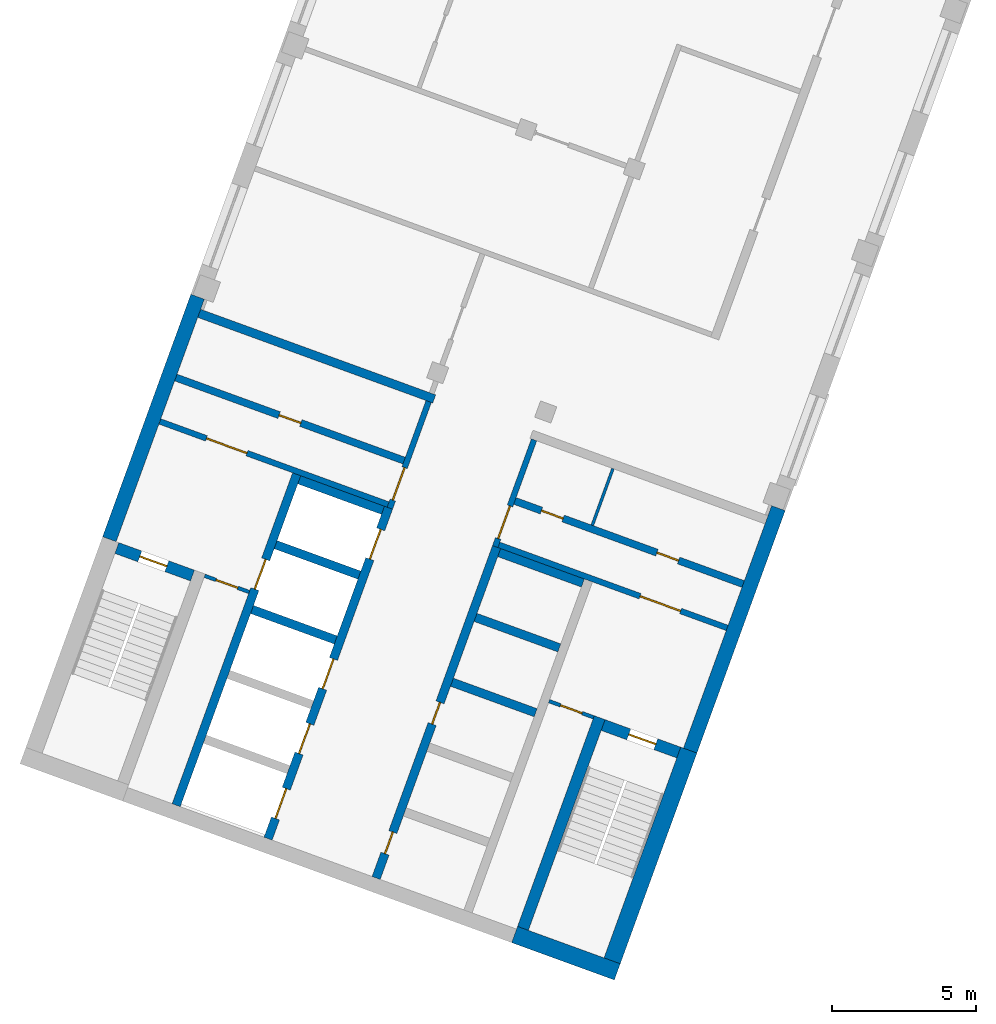
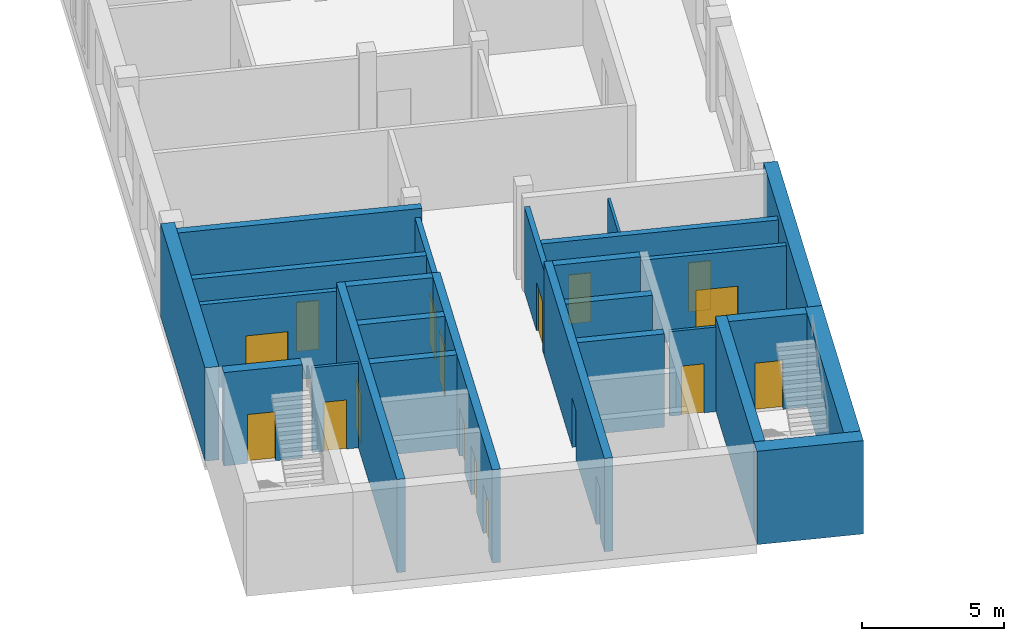
# One storey, part 2 of 8: 26 walls, 18 doors, 18 openings.
"""IFC4 building model written with IfcOpenShell, lengths in metres."""

from ifc_helpers import new_model, si_unit, direction, frame, frame_2d, origin, place, context, subcontext, project, spatial, rectangle, extrude, material, layer, layer_set, type_object, element, fill, save


model = new_model("IFC4")

# Units and contexts
model_context = context("Model", 3, precision=1e-05, world=origin(), true_north=direction((0.0, 1.0)))
body_context = subcontext(model_context, "Body", "Model", "MODEL_VIEW")
ifc_project = project(units=[si_unit("LENGTHUNIT", "METRE"), si_unit("AREAUNIT", "SQUARE_METRE"), si_unit("VOLUMEUNIT", "CUBIC_METRE"), si_unit("PLANEANGLEUNIT", "RADIAN"), si_unit("MASSUNIT", "GRAM", prefix="KILO")], contexts=[model_context])

# Site, building, storey
site_placement = place(None, origin())
site = spatial("IfcSite", under=ifc_project, at=site_placement, CompositionType="ELEMENT")
building_placement = place(site_placement, origin())
building = spatial("IfcBuilding", under=site, at=building_placement, Name="Skarvind Civic Tower", CompositionType="ELEMENT")
storey_placement = place(building_placement, frame((0.0, 0.0, 196.0)))
storey = spatial("IfcBuildingStorey", under=building, at=storey_placement, Name="L46", CompositionType="ELEMENT", Elevation=196.0)

# Wall, opening, door
ifc_material_1 = material(Name="Fire-rated masonry partition", Category="masonry")
ifc_layer_1 = layer(ifc_material_1, 0.199951171875)
ifc_layer_set_1 = layer_set([ifc_layer_1], Name="Core enclosure wall 200")
wall_type_1 = type_object("IfcWallType", Name="Core enclosure wall 200", PredefinedType="PARTITIONING", material=ifc_layer_set_1)
wall_1_placement = place(storey_placement, frame((31.42724609375, 93.663330078125, 0.0), z_axis=(0.0, 0.0, 1.0), x_axis=(0.342030870568, 0.93968871632, 0.0)))
wall_1 = element("IfcWall", 1, at=wall_1_placement, inside=storey, type_object=wall_type_1, Name="Core wall C2", PredefinedType="PARTITIONING", context=body_context, shape_type="SweptSolid", body=[
    extrude(rectangle(XDim=3.9501953125, YDim=0.199951171875, at=frame_2d((1.97509765625, 0.0))), origin(), (0.0, 0.0, 1.0), 3.625),
])
opening_1_placement = place(wall_1_placement, frame((0.300048828125, 0.0, 0.0)))
opening_1 = element("IfcOpeningElement", 2, at=opening_1_placement, cuts=wall_1, Name="Opening D-L46-C2-07", PredefinedType="OPENING", context=body_context, shape_type="SweptSolid", body=[
    extrude(rectangle(XDim=1.199951171875, YDim=2.10009765625, at=frame_2d((0.60009765625, 1.050048828125))), frame((0.0, 0.10986328125, 0.0), z_axis=(0.0, -1.0, 0.0), x_axis=(1.0, 0.0, 0.0)), (0.0, 0.0, 1.0), 0.219970703125),
])
ifc_material_2 = material(Name="Fire-rated steel door", Category="steel")
door_type_1 = type_object("IfcDoorType", Name="Core lobby door 1200", OperationType="NOTDEFINED", PredefinedType="DOOR", material=ifc_material_2)
door_1_placement = place(opening_1_placement, origin())
door_1 = element("IfcDoor", 3, at=door_1_placement, inside=storey, type_object=door_type_1, Name="Fire door", OperationType="DOUBLE_DOOR_SINGLE_SWING", OverallHeight=2.10009765625, OverallWidth=1.199951171875, PredefinedType="DOOR", context=body_context, shape_type="SweptSolid", body=[
    extrude(rectangle(XDim=1.199951171875, YDim=2.10009765625, at=frame_2d((0.60009765625, 1.050048828125))), frame((0.0, 0.02490234375, 0.0), z_axis=(0.0, -1.0, 0.0), x_axis=(1.0, 0.0, 0.0)), (0.0, 0.0, 1.0), 0.050048828125),
])
fill(opening_1, door_1)

wall_2_placement = place(storey_placement, frame((23.42724609375, 96.681640625, 0.0), z_axis=(0.0, 0.0, 1.0), x_axis=(0.939690465531, -0.342026064782, 0.0)))
wall_2 = element("IfcWall", 4, at=wall_2_placement, inside=storey, type_object=wall_type_1, Name="Core wall C2", PredefinedType="PARTITIONING", context=body_context, shape_type="SweptSolid", body=[
    extrude(rectangle(XDim=8.449951171875, YDim=0.199951171875, at=frame_2d((4.22509765625, 0.0))), origin(), (0.0, 0.0, 1.0), 3.625),
])
opening_2_placement = place(wall_2_placement, frame((1.72509765625, 0.0, 0.0)))
opening_2 = element("IfcOpeningElement", 5, at=opening_2_placement, cuts=wall_2, Name="Opening D-L46-C2-08", PredefinedType="OPENING", context=body_context, shape_type="SweptSolid", body=[
    extrude(rectangle(XDim=1.5, YDim=2.10009765625, at=frame_2d((0.75, 1.050048828125))), frame((0.0, 0.10986328125, 0.0), z_axis=(0.0, -1.0, 0.0), x_axis=(1.0, 0.0, 0.0)), (0.0, 0.0, 1.0), 0.219970703125),
])
door_type_2 = type_object("IfcDoorType", Name="Fire door 1500", OperationType="NOTDEFINED", PredefinedType="DOOR", material=ifc_material_2)
door_2_placement = place(opening_2_placement, origin())
door_2 = element("IfcDoor", 6, at=door_2_placement, inside=storey, type_object=door_type_2, Name="Fire door", OperationType="DOUBLE_DOOR_SINGLE_SWING", OverallHeight=2.10009765625, OverallWidth=1.5, PredefinedType="DOOR", context=body_context, shape_type="SweptSolid", body=[
    extrude(rectangle(XDim=1.5, YDim=2.10009765625, at=frame_2d((0.75, 1.050048828125))), frame((0.0, 0.02490234375, 0.0), z_axis=(0.0, -1.0, 0.0), x_axis=(1.0, 0.0, 0.0)), (0.0, 0.0, 1.0), 0.050048828125),
])
fill(opening_2, door_2)

wall_3_placement = place(storey_placement, frame((36.443115234375, 96.041259765625, 0.0), z_axis=(0.0, 0.0, 1.0), x_axis=(-0.341996156931, -0.939701350773, 0.0)))
wall_3 = element("IfcWall", 7, at=wall_3_placement, inside=storey, type_object=wall_type_1, Name="Core wall C2", PredefinedType="PARTITIONING", context=body_context, shape_type="SweptSolid", body=[
    extrude(rectangle(XDim=3.949951171875, YDim=0.199951171875, at=frame_2d((1.97509765625, 0.0))), origin(), (0.0, 0.0, 1.0), 3.625),
])
opening_3_placement = place(wall_3_placement, frame((2.449951171875, 0.0, 0.0)))
opening_3 = element("IfcOpeningElement", 8, at=opening_3_placement, cuts=wall_3, Name="Opening D-L46-C2-12", PredefinedType="OPENING", context=body_context, shape_type="SweptSolid", body=[
    extrude(rectangle(XDim=1.199951171875, YDim=2.10009765625, at=frame_2d((0.60009765625, 1.050048828125))), frame((0.0, 0.10986328125, 0.0), z_axis=(0.0, -1.0, 0.0), x_axis=(1.0, 0.0, 0.0)), (0.0, 0.0, 1.0), 0.219970703125),
])
door_3_placement = place(opening_3_placement, origin())
door_3 = element("IfcDoor", 9, at=door_3_placement, inside=storey, type_object=door_type_1, Name="Fire door", OperationType="DOUBLE_DOOR_SINGLE_SWING", OverallHeight=2.10009765625, OverallWidth=1.199951171875, PredefinedType="DOOR", context=body_context, shape_type="SweptSolid", body=[
    extrude(rectangle(XDim=1.199951171875, YDim=2.10009765625, at=frame_2d((0.60009765625, 1.050048828125))), frame((0.0, 0.02490234375, 0.0), z_axis=(0.0, -1.0, 0.0), x_axis=(1.0, 0.0, 0.0)), (0.0, 0.0, 1.0), 0.050048828125),
])
fill(opening_3, door_3)

wall_4_placement = place(storey_placement, frame((35.22021484375, 92.389404296875, 0.0), z_axis=(0.0, 0.0, 1.0), x_axis=(0.939690465531, -0.342026064782, 0.0)))
wall_4 = element("IfcWall", 10, at=wall_4_placement, inside=storey, type_object=wall_type_1, Name="Core wall C2", PredefinedType="PARTITIONING", context=body_context, shape_type="SweptSolid", body=[
    extrude(rectangle(XDim=8.449951171875, YDim=0.199951171875, at=frame_2d((4.22509765625, 0.0))), origin(), (0.0, 0.0, 1.0), 3.625),
])
opening_4_placement = place(wall_4_placement, frame((5.22509765625, 0.0, 0.0)))
opening_4 = element("IfcOpeningElement", 11, at=opening_4_placement, cuts=wall_4, Name="Opening D-L46-C2-13", PredefinedType="OPENING", context=body_context, shape_type="SweptSolid", body=[
    extrude(rectangle(XDim=1.5, YDim=2.10009765625, at=frame_2d((0.75, 1.050048828125))), frame((0.0, 0.10986328125, 0.0), z_axis=(0.0, -1.0, 0.0), x_axis=(1.0, 0.0, 0.0)), (0.0, 0.0, 1.0), 0.219970703125),
])
door_4_placement = place(opening_4_placement, origin())
door_4 = element("IfcDoor", 12, at=door_4_placement, inside=storey, type_object=door_type_2, Name="Fire door", OperationType="DOUBLE_DOOR_SINGLE_SWING", OverallHeight=2.10009765625, OverallWidth=1.5, PredefinedType="DOOR", context=body_context, shape_type="SweptSolid", body=[
    extrude(rectangle(XDim=1.5, YDim=2.10009765625, at=frame_2d((0.75, 1.050048828125))), frame((0.0, 0.02490234375, 0.0), z_axis=(0.0, -1.0, 0.0), x_axis=(1.0, 0.0, 0.0)), (0.0, 0.0, 1.0), 0.050048828125),
])
fill(opening_4, door_4)

# Wall
ifc_material_3 = material(Name="Fire-rated plasterboard partition")
ifc_layer_2 = layer(ifc_material_3, 0.10009765625)
ifc_layer_set_2 = layer_set([ifc_layer_2], Name="Core partition wall 100")
wall_type_2 = type_object("IfcWallType", Name="Core partition wall 100", PredefinedType="PARTITIONING", material=ifc_layer_set_2)
wall_5_placement = place(storey_placement, frame((39.18701171875, 95.04248046875, 0.0), z_axis=(0.0, 0.0, 1.0), x_axis=(-0.342023078919, -0.939691552312, 0.0)))
element("IfcWall", 13, at=wall_5_placement, inside=storey, type_object=wall_type_2, Name="Core wall C2", PredefinedType="PARTITIONING", context=body_context, shape_type="SweptSolid", body=[
    extrude(rectangle(XDim=2.10009765625, YDim=0.10009765625, at=frame_2d((1.050048828125, 0.0))), origin(), (0.0, 0.0, 1.0), 3.625),
])

# Wall, openings, doors
ifc_material_4 = material(Name="Concrete C60", Category="concrete")
ifc_layer_3 = layer(ifc_material_4, 0.300048828125)
ifc_layer_set_3 = layer_set([ifc_layer_3], Name="Core wall 300 C60")
wall_type_3 = type_object("IfcWallType", Name="Core wall 300 C60", PredefinedType="SHEAR", material=ifc_layer_set_3)
wall_6_placement = place(storey_placement, frame((30.949462890625, 80.80126953125, 0.0), z_axis=(0.0, 0.0, 1.0), x_axis=(0.342016684409, 0.939693879721, 0.0)))
wall_6 = element("IfcWall", 14, at=wall_6_placement, inside=storey, type_object=wall_type_3, Name="Core wall C2 south lift row front L46", PredefinedType="SHEAR", context=body_context, shape_type="SweptSolid", body=[
    extrude(rectangle(XDim=12.25, YDim=0.300048828125, at=frame_2d((6.125, 0.0))), origin(), (0.0, 0.0, 1.0), 4.0),
])
opening_5_placement = place(wall_6_placement, frame((0.89990234375, 0.0, 0.0)))
opening_5 = element("IfcOpeningElement", 15, at=opening_5_placement, cuts=wall_6, Name="Opening D-L46-C2-05", PredefinedType="OPENING", context=body_context, shape_type="SweptSolid", body=[
    extrude(rectangle(XDim=0.800048828125, YDim=2.10009765625, at=frame_2d((0.39990234375, 1.050048828125))), frame((0.0, 0.159912109375, 0.0), z_axis=(0.0, -1.0, 0.0), x_axis=(1.0, 0.0, 0.0)), (0.0, 0.0, 1.0), 0.320068359375),
])
opening_6_placement = place(wall_6_placement, frame((5.699951171875, 0.0, 0.0)))
opening_6 = element("IfcOpeningElement", 16, at=opening_6_placement, cuts=wall_6, Name="Opening D-L46-C2-06", PredefinedType="OPENING", context=body_context, shape_type="SweptSolid", body=[
    extrude(rectangle(XDim=0.800048828125, YDim=2.10009765625, at=frame_2d((0.39990234375, 1.050048828125))), frame((0.0, 0.159912109375, 0.0), z_axis=(0.0, -1.0, 0.0), x_axis=(1.0, 0.0, 0.0)), (0.0, 0.0, 1.0), 0.320068359375),
])
door_type_3 = type_object("IfcDoorType", Name="Core riser door 800", OperationType="NOTDEFINED", PredefinedType="DOOR", material=ifc_material_2)
door_5_placement = place(opening_5_placement, origin())
door_5 = element("IfcDoor", 17, at=door_5_placement, inside=storey, type_object=door_type_3, Name="Riser door", OperationType="SINGLE_SWING_LEFT", OverallHeight=2.10009765625, OverallWidth=0.800048828125, PredefinedType="DOOR", context=body_context, shape_type="SweptSolid", body=[
    extrude(rectangle(XDim=0.800048828125, YDim=2.10009765625, at=frame_2d((0.39990234375, 1.050048828125))), frame((0.0, 0.02490234375, 0.0), z_axis=(0.0, -1.0, 0.0), x_axis=(1.0, 0.0, 0.0)), (0.0, 0.0, 1.0), 0.050048828125),
])
fill(opening_5, door_5)
door_6_placement = place(opening_6_placement, origin())
door_6 = element("IfcDoor", 18, at=door_6_placement, inside=storey, type_object=door_type_3, Name="Riser door", OperationType="SINGLE_SWING_RIGHT", OverallHeight=2.10009765625, OverallWidth=0.800048828125, PredefinedType="DOOR", context=body_context, shape_type="SweptSolid", body=[
    extrude(rectangle(XDim=0.800048828125, YDim=2.10009765625, at=frame_2d((0.39990234375, 1.050048828125))), frame((0.0, 0.02490234375, 0.0), z_axis=(0.0, -1.0, 0.0), x_axis=(1.0, 0.0, 0.0)), (0.0, 0.0, 1.0), 0.050048828125),
])
fill(opening_6, door_6)

# Walls
for number, where, z_axis, x_axis, name in (
    (19, (36.500244140625, 86.54931640625, 0.0), (0.0, 0.0, 1.0), (-0.939689908313, 0.342027595692, 0.0), "Core wall C2 south lift row division 3 L46"),
    (20, (37.321044921875, 88.8046875, 0.0), (0.0, 0.0, 1.0), (-0.939689908313, 0.342027595692, 0.0), "Core wall C2 south lift row division 4 L46"),
    (21, (38.141845703125, 91.059814453125, 0.0), (0.0, 0.0, 1.0), (-0.939689908313, 0.342027595692, 0.0), "Core wall C2 south lift row division 5 L46"),
):
    element("IfcWall", number, at=place(storey_placement, frame(where, z_axis=z_axis, x_axis=x_axis)), inside=storey, type_object=wall_type_3, Name=name, PredefinedType="SHEAR", context=body_context, shape_type="SweptSolid", body=[
        extrude(rectangle(XDim=3.10009765625, YDim=0.300048828125, at=frame_2d((1.550048828125, 0.0))), origin(), (0.0, 0.0, 1.0), 4.0),
    ])

# Wall, openings, doors
wall_7_placement = place(storey_placement, frame((27.190673828125, 82.169189453125, 0.0), z_axis=(0.0, 0.0, 1.0), x_axis=(0.342016684409, 0.939693879721, 0.0)))
wall_7 = element("IfcWall", 22, at=wall_7_placement, inside=storey, type_object=wall_type_3, Name="Core wall C2 north lift row front L46", PredefinedType="SHEAR", context=body_context, shape_type="SweptSolid", body=[
    extrude(rectangle(XDim=12.25, YDim=0.300048828125, at=frame_2d((6.125, 0.0))), origin(), (0.0, 0.0, 1.0), 4.0),
])
opening_7_placement = place(wall_7_placement, frame((0.75, 0.0, 0.0)))
opening_7 = element("IfcOpeningElement", 23, at=opening_7_placement, cuts=wall_7, Name="Opening LD48201", PredefinedType="OPENING", context=body_context, shape_type="SweptSolid", body=[
    extrude(rectangle(XDim=1.10009765625, YDim=2.10009765625, at=frame_2d((0.550048828125, 1.050048828125))), frame((0.0, 0.159912109375, 0.0), z_axis=(0.0, -1.0, 0.0), x_axis=(1.0, 0.0, 0.0)), (0.0, 0.0, 1.0), 0.320068359375),
])
opening_8_placement = place(wall_7_placement, frame((3.14990234375, 0.0, 0.0)))
opening_8 = element("IfcOpeningElement", 24, at=opening_8_placement, cuts=wall_7, Name="Opening LD48202", PredefinedType="OPENING", context=body_context, shape_type="SweptSolid", body=[
    extrude(rectangle(XDim=1.10009765625, YDim=2.10009765625, at=frame_2d((0.550048828125, 1.050048828125))), frame((0.0, 0.159912109375, 0.0), z_axis=(0.0, -1.0, 0.0), x_axis=(1.0, 0.0, 0.0)), (0.0, 0.0, 1.0), 0.320068359375),
])
opening_9_placement = place(wall_7_placement, frame((5.550048828125, 0.0, 0.0)))
opening_9 = element("IfcOpeningElement", 25, at=opening_9_placement, cuts=wall_7, Name="Opening LD48203", PredefinedType="OPENING", context=body_context, shape_type="SweptSolid", body=[
    extrude(rectangle(XDim=1.10009765625, YDim=2.10009765625, at=frame_2d((0.550048828125, 1.050048828125))), frame((0.0, 0.159912109375, 0.0), z_axis=(0.0, -1.0, 0.0), x_axis=(1.0, 0.0, 0.0)), (0.0, 0.0, 1.0), 0.320068359375),
])
opening_10_placement = place(wall_7_placement, frame((10.35009765625, 0.0, 0.0)))
opening_10 = element("IfcOpeningElement", 26, at=opening_10_placement, cuts=wall_7, Name="Opening LD48205", PredefinedType="OPENING", context=body_context, shape_type="SweptSolid", body=[
    extrude(rectangle(XDim=1.10009765625, YDim=2.10009765625, at=frame_2d((0.550048828125, 1.050048828125))), frame((0.0, 0.159912109375, 0.0), z_axis=(0.0, -1.0, 0.0), x_axis=(1.0, 0.0, 0.0)), (0.0, 0.0, 1.0), 0.320068359375),
])
ifc_material_5 = material(Name="Stainless steel landing door", Category="steel")
door_type_4 = type_object("IfcDoorType", Name="Lift landing door 1100", OperationType="DOUBLE_DOOR_SLIDING", PredefinedType="DOOR", material=ifc_material_5)
door_7_placement = place(opening_7_placement, origin())
door_7 = element("IfcDoor", 27, at=door_7_placement, inside=storey, type_object=door_type_4, Name="Lift landing door", OperationType="DOUBLE_DOOR_SLIDING", OverallHeight=2.10009765625, OverallWidth=1.10009765625, PredefinedType="DOOR", context=body_context, shape_type="SweptSolid", body=[
    extrude(rectangle(XDim=1.10009765625, YDim=2.10009765625, at=frame_2d((0.550048828125, 1.050048828125))), frame((0.0, 0.02490234375, 0.0), z_axis=(0.0, -1.0, 0.0), x_axis=(1.0, 0.0, 0.0)), (0.0, 0.0, 1.0), 0.050048828125),
])
fill(opening_7, door_7)
door_8_placement = place(opening_8_placement, origin())
door_8 = element("IfcDoor", 28, at=door_8_placement, inside=storey, type_object=door_type_4, Name="Lift landing door", OperationType="DOUBLE_DOOR_SLIDING", OverallHeight=2.10009765625, OverallWidth=1.10009765625, PredefinedType="DOOR", context=body_context, shape_type="SweptSolid", body=[
    extrude(rectangle(XDim=1.10009765625, YDim=2.10009765625, at=frame_2d((0.550048828125, 1.050048828125))), frame((0.0, 0.02490234375, 0.0), z_axis=(0.0, -1.0, 0.0), x_axis=(1.0, 0.0, 0.0)), (0.0, 0.0, 1.0), 0.050048828125),
])
fill(opening_8, door_8)
door_9_placement = place(opening_9_placement, origin())
door_9 = element("IfcDoor", 29, at=door_9_placement, inside=storey, type_object=door_type_4, Name="Lift landing door", OperationType="DOUBLE_DOOR_SLIDING", OverallHeight=2.10009765625, OverallWidth=1.10009765625, PredefinedType="DOOR", context=body_context, shape_type="SweptSolid", body=[
    extrude(rectangle(XDim=1.10009765625, YDim=2.10009765625, at=frame_2d((0.550048828125, 1.050048828125))), frame((0.0, 0.02490234375, 0.0), z_axis=(0.0, -1.0, 0.0), x_axis=(1.0, 0.0, 0.0)), (0.0, 0.0, 1.0), 0.050048828125),
])
fill(opening_9, door_9)
door_10_placement = place(opening_10_placement, origin())
door_10 = element("IfcDoor", 30, at=door_10_placement, inside=storey, type_object=door_type_4, Name="Lift landing door", OperationType="DOUBLE_DOOR_SLIDING", OverallHeight=2.10009765625, OverallWidth=1.10009765625, PredefinedType="DOOR", context=body_context, shape_type="SweptSolid", body=[
    extrude(rectangle(XDim=1.10009765625, YDim=2.10009765625, at=frame_2d((0.550048828125, 1.050048828125))), frame((0.0, 0.02490234375, 0.0), z_axis=(0.0, -1.0, 0.0), x_axis=(1.0, 0.0, 0.0)), (0.0, 0.0, 1.0), 0.050048828125),
])
fill(opening_10, door_10)

# Wall, opening, door
wall_8_placement = place(storey_placement, frame((23.99560546875, 83.33203125, 0.0), z_axis=(0.0, 0.0, 1.0), x_axis=(0.342016684409, 0.939693879721, 0.0)))
wall_8 = element("IfcWall", 31, at=wall_8_placement, inside=storey, type_object=wall_type_3, Name="Core wall C2 north lift row back L46", PredefinedType="SHEAR", context=body_context, shape_type="SweptSolid", body=[
    extrude(rectangle(XDim=12.25, YDim=0.300048828125, at=frame_2d((6.125, 0.0))), origin(), (0.0, 0.0, 1.0), 4.0),
])
opening_11_placement = place(wall_8_placement, frame((8.0, 0.0, 0.0)))
opening_11 = element("IfcOpeningElement", 32, at=opening_11_placement, cuts=wall_8, Name="Opening LD48204", PredefinedType="OPENING", context=body_context, shape_type="SweptSolid", body=[
    extrude(rectangle(XDim=1.10009765625, YDim=2.10009765625, at=frame_2d((0.550048828125, 1.050048828125))), frame((0.0, 0.159912109375, 0.0), z_axis=(0.0, -1.0, 0.0), x_axis=(1.0, 0.0, 0.0)), (0.0, 0.0, 1.0), 0.320068359375),
])
door_11_placement = place(opening_11_placement, origin())
door_11 = element("IfcDoor", 33, at=door_11_placement, inside=storey, type_object=door_type_4, Name="Lift landing door", OperationType="DOUBLE_DOOR_SLIDING", OverallHeight=2.10009765625, OverallWidth=1.10009765625, PredefinedType="DOOR", context=body_context, shape_type="SweptSolid", body=[
    extrude(rectangle(XDim=1.10009765625, YDim=2.10009765625, at=frame_2d((0.550048828125, 1.050048828125))), frame((0.0, 0.02490234375, 0.0), z_axis=(0.0, -1.0, 0.0), x_axis=(1.0, 0.0, 0.0)), (0.0, 0.0, 1.0), 0.050048828125),
])
fill(opening_11, door_11)

# Walls
wall_9_placement = place(storey_placement, frame((29.54638671875, 89.080322265625, 0.0), z_axis=(0.0, 0.0, 1.0), x_axis=(-0.939689908313, 0.342027595692, 0.0)))
element("IfcWall", 34, at=wall_9_placement, inside=storey, type_object=wall_type_3, Name="Core wall C2 north lift row division 3 L46", PredefinedType="SHEAR", context=body_context, shape_type="SweptSolid", body=[
    extrude(rectangle(XDim=3.10009765625, YDim=0.300048828125, at=frame_2d((1.550048828125, 0.0))), origin(), (0.0, 0.0, 1.0), 4.0),
])
for number, where, z_axis, x_axis, name in (
    (35, (30.3671875, 91.335693359375, 0.0), (0.0, 0.0, 1.0), (-0.939715217871, 0.341958051961, 0.0), "Core wall C2 north lift row division 4 L46"),
    (36, (31.18798828125, 93.5908203125, 0.0), (0.0, 0.0, 1.0), (-0.939680694448, 0.342052908892, 0.0), "Core wall C2 north lift row division 5 L46"),
):
    element("IfcWall", number, at=place(storey_placement, frame(where, z_axis=z_axis, x_axis=x_axis)), inside=storey, type_object=wall_type_3, Name=name, PredefinedType="SHEAR", context=body_context, shape_type="SweptSolid", body=[
        extrude(rectangle(XDim=3.099853515625, YDim=0.300048828125, at=frame_2d((1.5498046875, 0.0))), origin(), (0.0, 0.0, 1.0), 4.0),
    ])
wall_10_placement = place(storey_placement, frame((32.970703125, 97.46484375, 0.0), z_axis=(0.0, 0.0, 1.0), x_axis=(-0.939695066972, 0.34201342241, 0.0)))
element("IfcWall", 37, at=wall_10_placement, inside=storey, type_object=wall_type_3, Name="Core wall C2 north inner face L46", PredefinedType="SHEAR", context=body_context, shape_type="SweptSolid", body=[
    extrude(rectangle(XDim=8.7001953125, YDim=0.300048828125, at=frame_2d((4.35009765625, 0.0))), origin(), (0.0, 0.0, 1.0), 4.0),
])
ifc_layer_4 = layer(ifc_material_4, 0.39990234375)
ifc_layer_set_4 = layer_set([ifc_layer_4], Name="Core wall 400 C60")
wall_type_4 = type_object("IfcWallType", Name="Core wall 400 C60", PredefinedType="SHEAR", material=ifc_layer_set_4)
wall_11_placement = place(storey_placement, frame((36.057861328125, 79.04833984375, 0.0), z_axis=(0.0, 0.0, 1.0), x_axis=(0.342016982193, 0.939693771338, 0.0)))
element("IfcWall", 38, at=wall_11_placement, inside=storey, type_object=wall_type_4, Name="Core wall C2 south stair inner L46", PredefinedType="SHEAR", context=body_context, shape_type="SweptSolid", body=[
    extrude(rectangle(XDim=7.800048828125, YDim=0.39990234375, at=frame_2d((3.89990234375, 0.0))), origin(), (0.0, 0.0, 1.0), 4.0),
])

# Wall, opening, door
wall_12_placement = place(storey_placement, frame((41.476318359375, 85.163818359375, 0.0), z_axis=(0.0, 0.0, 1.0), x_axis=(-0.939678810556, 0.342058084236, 0.0)))
wall_12 = element("IfcWall", 39, at=wall_12_placement, inside=storey, type_object=wall_type_4, Name="Core wall C2 south stair end L46", PredefinedType="SHEAR", context=body_context, shape_type="SweptSolid", body=[
    extrude(rectangle(XDim=2.800048828125, YDim=0.39990234375, at=frame_2d((1.39990234375, 0.0))), origin(), (0.0, 0.0, 1.0), 4.0),
])
opening_12_placement = place(wall_12_placement, frame((0.85009765625, 0.0, 0.0)))
opening_12 = element("IfcOpeningElement", 40, at=opening_12_placement, cuts=wall_12, Name="Opening D-L46-C2-14", PredefinedType="OPENING", context=body_context, shape_type="SweptSolid", body=[
    extrude(rectangle(XDim=1.0, YDim=2.10009765625, at=frame_2d((0.5, 1.050048828125))), frame((0.0, 0.2099609375, 0.0), z_axis=(0.0, -1.0, 0.0), x_axis=(1.0, 0.0, 0.0)), (0.0, 0.0, 1.0), 0.419921875),
])
door_type_5 = type_object("IfcDoorType", Name="Fire door 1000", OperationType="NOTDEFINED", PredefinedType="DOOR", material=ifc_material_2)
door_12_placement = place(opening_12_placement, origin())
door_12 = element("IfcDoor", 41, at=door_12_placement, inside=storey, type_object=door_type_5, Name="Fire door", OperationType="SINGLE_SWING_RIGHT", OverallHeight=2.10009765625, OverallWidth=1.0, PredefinedType="DOOR", context=body_context, shape_type="SweptSolid", body=[
    extrude(rectangle(XDim=1.0, YDim=2.10009765625, at=frame_2d((0.5, 1.050048828125))), frame((0.0, 0.02490234375, 0.0), z_axis=(0.0, -1.0, 0.0), x_axis=(1.0, 0.0, 0.0)), (0.0, 0.0, 1.0), 0.050048828125),
])
fill(opening_12, door_12)

wall_13_placement = place(storey_placement, frame((24.56201171875, 91.3203125, 0.0), z_axis=(0.0, 0.0, 1.0), x_axis=(-0.939717030584, 0.341953070509, 0.0)))
wall_13 = element("IfcWall", 42, at=wall_13_placement, inside=storey, type_object=wall_type_4, Name="Core wall C2 north stair end L46", PredefinedType="SHEAR", context=body_context, shape_type="SweptSolid", body=[
    extrude(rectangle(XDim=2.800048828125, YDim=0.39990234375, at=frame_2d((1.39990234375, 0.0))), origin(), (0.0, 0.0, 1.0), 4.0),
])
opening_13_placement = place(wall_13_placement, frame((0.949951171875, 0.0, 0.0)))
opening_13 = element("IfcOpeningElement", 43, at=opening_13_placement, cuts=wall_13, Name="Opening D-L46-C2-09", PredefinedType="OPENING", context=body_context, shape_type="SweptSolid", body=[
    extrude(rectangle(XDim=1.0, YDim=2.10009765625, at=frame_2d((0.5, 1.050048828125))), frame((0.0, 0.2099609375, 0.0), z_axis=(0.0, -1.0, 0.0), x_axis=(1.0, 0.0, 0.0)), (0.0, 0.0, 1.0), 0.419921875),
])
door_13_placement = place(opening_13_placement, origin())
door_13 = element("IfcDoor", 44, at=door_13_placement, inside=storey, type_object=door_type_5, Name="Fire door", OperationType="SINGLE_SWING_LEFT", OverallHeight=2.10009765625, OverallWidth=1.0, PredefinedType="DOOR", context=body_context, shape_type="SweptSolid", body=[
    extrude(rectangle(XDim=1.0, YDim=2.10009765625, at=frame_2d((0.5, 1.050048828125))), frame((0.0, 0.02490234375, 0.0), z_axis=(0.0, -1.0, 0.0), x_axis=(1.0, 0.0, 0.0)), (0.0, 0.0, 1.0), 0.050048828125),
])
fill(opening_13, door_13)

# Walls
ifc_layer_5 = layer(ifc_material_4, 0.5)
ifc_layer_set_5 = layer_set([ifc_layer_5], Name="Core wall 500 C60")
wall_type_5 = type_object("IfcWallType", Name="Core wall 500 C60", PredefinedType="SHEAR", material=ifc_layer_set_5)
wall_14_placement = place(storey_placement, frame((41.873779296875, 85.232177734375, 0.0), z_axis=(0.0, 0.0, 1.0), x_axis=(0.342020437038, 0.939692513883, 0.0)))
element("IfcWall", 45, at=wall_14_placement, inside=storey, type_object=wall_type_5, Name="Core wall C2 south side L46", PredefinedType="SHEAR", context=body_context, shape_type="SweptSolid", body=[
    extrude(rectangle(XDim=8.974853515625, YDim=0.5, at=frame_2d((4.4873046875, 0.0))), origin(), (0.0, 0.0, 1.0), 4.0),
])
wall_15_placement = place(storey_placement, frame((21.670166015625, 92.58544921875, 0.0), z_axis=(0.0, 0.0, 1.0), x_axis=(0.342035714298, 0.93968695327, 0.0)))
element("IfcWall", 46, at=wall_15_placement, inside=storey, type_object=wall_type_5, Name="Core wall C2 north side L46", PredefinedType="SHEAR", context=body_context, shape_type="SweptSolid", body=[
    extrude(rectangle(XDim=8.97509765625, YDim=0.5, at=frame_2d((4.487548828125, 0.0))), origin(), (0.0, 0.0, 1.0), 4.0),
])
ifc_layer_6 = layer(ifc_material_4, 0.60009765625)
ifc_layer_set_6 = layer_set([ifc_layer_6], Name="Core wall 600 C60")
wall_type_6 = type_object("IfcWallType", Name="Core wall 600 C60", PredefinedType="SHEAR", material=ifc_layer_set_6)
wall_16_placement = place(storey_placement, frame((39.338134765625, 77.53515625, 0.0), z_axis=(0.0, 0.0, 1.0), x_axis=(-0.939701471648, 0.341995824804, 0.0)))
element("IfcWall", 47, at=wall_16_placement, inside=storey, type_object=wall_type_6, Name="Core wall C2 tip at the south stair L46", PredefinedType="SHEAR", context=body_context, shape_type="SweptSolid", body=[
    extrude(rectangle(XDim=3.800048828125, YDim=0.60009765625, at=frame_2d((1.89990234375, 0.0))), origin(), (0.0, 0.0, 1.0), 4.0),
])
wall_17_placement = place(storey_placement, frame((39.158935546875, 77.919677734375, 0.0), z_axis=(0.0, 0.0, 1.0), x_axis=(0.342016982193, 0.939693771338, 0.0)))
element("IfcWall", 48, at=wall_17_placement, inside=storey, type_object=wall_type_6, Name="Core wall C2 south side at the stair L46", PredefinedType="SHEAR", context=body_context, shape_type="SweptSolid", body=[
    extrude(rectangle(XDim=7.800048828125, YDim=0.60009765625, at=frame_2d((3.89990234375, 0.0))), origin(), (0.0, 0.0, 1.0), 4.0),
])

# Wall, opening, door
ifc_layer_7 = layer(ifc_material_1, 0.125)
ifc_layer_set_7 = layer_set([ifc_layer_7], Name="Riser wall 125")
wall_type_7 = type_object("IfcWallType", Name="Riser wall 125", PredefinedType="PARTITIONING", material=ifc_layer_set_7)
wall_18_placement = place(storey_placement, frame((24.98486328125, 91.3125, 0.0), z_axis=(0.0, 0.0, 1.0), x_axis=(0.939719959755, -0.341945020783, 0.0)))
wall_18 = element("IfcWall", 49, at=wall_18_placement, inside=storey, type_object=wall_type_7, Name="Core wall C2", PredefinedType="PARTITIONING", context=body_context, shape_type="SweptSolid", body=[
    extrude(rectangle(XDim=1.64990234375, YDim=0.125, at=frame_2d((0.824951171875, 0.0))), origin(), (0.0, 0.0, 1.0), 3.625),
])
opening_14_placement = place(wall_18_placement, frame((0.425048828125, 0.0, 0.0)))
opening_14 = element("IfcOpeningElement", 50, at=opening_14_placement, cuts=wall_18, Name="Opening D-L46-C2-10", PredefinedType="OPENING", context=body_context, shape_type="SweptSolid", body=[
    extrude(rectangle(XDim=0.800048828125, YDim=2.10009765625, at=frame_2d((0.39990234375, 1.050048828125))), frame((0.0, 0.072509765625, 0.0), z_axis=(0.0, -1.0, 0.0), x_axis=(1.0, 0.0, 0.0)), (0.0, 0.0, 1.0), 0.14501953125),
])
door_14_placement = place(opening_14_placement, origin())
door_14 = element("IfcDoor", 51, at=door_14_placement, inside=storey, type_object=door_type_3, Name="Riser door", OperationType="SINGLE_SWING_RIGHT", OverallHeight=2.10009765625, OverallWidth=0.800048828125, PredefinedType="DOOR", context=body_context, shape_type="SweptSolid", body=[
    extrude(rectangle(XDim=0.800048828125, YDim=2.10009765625, at=frame_2d((0.39990234375, 1.050048828125))), frame((0.0, 0.02490234375, 0.0), z_axis=(0.0, -1.0, 0.0), x_axis=(1.0, 0.0, 0.0)), (0.0, 0.0, 1.0), 0.050048828125),
])
fill(opening_14, door_14)

wall_19_placement = place(storey_placement, frame((36.9658203125, 86.951904296875, 0.0), z_axis=(0.0, 0.0, 1.0), x_axis=(0.939672407396, -0.342075674051, 0.0)))
wall_19 = element("IfcWall", 52, at=wall_19_placement, inside=storey, type_object=wall_type_7, Name="Core wall C2", PredefinedType="PARTITIONING", context=body_context, shape_type="SweptSolid", body=[
    extrude(rectangle(XDim=1.650146484375, YDim=0.125, at=frame_2d((0.8251953125, 0.0))), origin(), (0.0, 0.0, 1.0), 3.625),
])
opening_15_placement = place(wall_19_placement, frame((0.425048828125, 0.0, 0.0)))
opening_15 = element("IfcOpeningElement", 53, at=opening_15_placement, cuts=wall_19, Name="Opening D-L46-C2-15", PredefinedType="OPENING", context=body_context, shape_type="SweptSolid", body=[
    extrude(rectangle(XDim=0.800048828125, YDim=2.10009765625, at=frame_2d((0.39990234375, 1.050048828125))), frame((0.0, 0.072509765625, 0.0), z_axis=(0.0, -1.0, 0.0), x_axis=(1.0, 0.0, 0.0)), (0.0, 0.0, 1.0), 0.14501953125),
])
door_15_placement = place(opening_15_placement, origin())
door_15 = element("IfcDoor", 54, at=door_15_placement, inside=storey, type_object=door_type_3, Name="Riser door", OperationType="SINGLE_SWING_LEFT", OverallHeight=2.10009765625, OverallWidth=0.800048828125, PredefinedType="DOOR", context=body_context, shape_type="SweptSolid", body=[
    extrude(rectangle(XDim=0.800048828125, YDim=2.10009765625, at=frame_2d((0.39990234375, 1.050048828125))), frame((0.0, 0.02490234375, 0.0), z_axis=(0.0, -1.0, 0.0), x_axis=(1.0, 0.0, 0.0)), (0.0, 0.0, 1.0), 0.050048828125),
])
fill(opening_15, door_15)

ifc_layer_8 = layer(ifc_material_1, 0.25)
ifc_layer_set_8 = layer_set([ifc_layer_8], Name="Service block wall 250")
wall_type_8 = type_object("IfcWallType", Name="Service block wall 250", PredefinedType="PARTITIONING", material=ifc_layer_set_8)
wall_20_placement = place(storey_placement, frame((23.98291015625, 98.20849609375, 0.0), z_axis=(0.0, 0.0, 1.0), x_axis=(0.939699751196, -0.342000552051, 0.0)))
wall_20 = element("IfcWall", 55, at=wall_20_placement, inside=storey, type_object=wall_type_8, Name="Core wall C2", PredefinedType="PARTITIONING", context=body_context, shape_type="SweptSolid", body=[
    extrude(rectangle(XDim=8.449951171875, YDim=0.25, at=frame_2d((4.22509765625, 0.0))), origin(), (0.0, 0.0, 1.0), 3.625),
])
opening_16_placement = place(wall_20_placement, frame((3.824951171875, 0.0, 0.0)))
opening_16 = element("IfcOpeningElement", 56, at=opening_16_placement, cuts=wall_20, Name="Opening D-L46-C2-11", PredefinedType="OPENING", context=body_context, shape_type="SweptSolid", body=[
    extrude(rectangle(XDim=0.800048828125, YDim=2.10009765625, at=frame_2d((0.39990234375, 1.050048828125))), frame((0.0, 0.135009765625, 0.0), z_axis=(0.0, -1.0, 0.0), x_axis=(1.0, 0.0, 0.0)), (0.0, 0.0, 1.0), 0.27001953125),
])
door_16_placement = place(opening_16_placement, origin())
door_16 = element("IfcDoor", 57, at=door_16_placement, inside=storey, type_object=door_type_3, Name="Riser door", OperationType="SINGLE_SWING_LEFT", OverallHeight=2.10009765625, OverallWidth=0.800048828125, PredefinedType="DOOR", context=body_context, shape_type="SweptSolid", body=[
    extrude(rectangle(XDim=0.800048828125, YDim=2.10009765625, at=frame_2d((0.39990234375, 1.050048828125))), frame((0.0, 0.02490234375, 0.0), z_axis=(0.0, -1.0, 0.0), x_axis=(1.0, 0.0, 0.0)), (0.0, 0.0, 1.0), 0.050048828125),
])
fill(opening_16, door_16)

# Wall, openings, doors
wall_21_placement = place(storey_placement, frame((35.776123046875, 93.916259765625, 0.0), z_axis=(0.0, 0.0, 1.0), x_axis=(0.939690465531, -0.342026064782, 0.0)))
wall_21 = element("IfcWall", 58, at=wall_21_placement, inside=storey, type_object=wall_type_8, Name="Core wall C2", PredefinedType="PARTITIONING", context=body_context, shape_type="SweptSolid", body=[
    extrude(rectangle(XDim=8.449951171875, YDim=0.25, at=frame_2d((4.22509765625, 0.0))), origin(), (0.0, 0.0, 1.0), 3.625),
])
opening_17_placement = place(wall_21_placement, frame((0.985107421875, 0.0, 0.0)))
opening_17 = element("IfcOpeningElement", 59, at=opening_17_placement, cuts=wall_21, Name="Opening D-L46-C2-16", PredefinedType="OPENING", context=body_context, shape_type="SweptSolid", body=[
    extrude(rectangle(XDim=0.800048828125, YDim=2.10009765625, at=frame_2d((0.39990234375, 1.050048828125))), frame((0.0, 0.135009765625, 0.0), z_axis=(0.0, -1.0, 0.0), x_axis=(1.0, 0.0, 0.0)), (0.0, 0.0, 1.0), 0.27001953125),
])
opening_18_placement = place(wall_21_placement, frame((5.260009765625, 0.0, 0.0)))
opening_18 = element("IfcOpeningElement", 60, at=opening_18_placement, cuts=wall_21, Name="Opening D-L46-C2-17", PredefinedType="OPENING", context=body_context, shape_type="SweptSolid", body=[
    extrude(rectangle(XDim=0.800048828125, YDim=2.10009765625, at=frame_2d((0.39990234375, 1.050048828125))), frame((0.0, 0.135009765625, 0.0), z_axis=(0.0, -1.0, 0.0), x_axis=(1.0, 0.0, 0.0)), (0.0, 0.0, 1.0), 0.27001953125),
])
door_17_placement = place(opening_17_placement, origin())
door_17 = element("IfcDoor", 61, at=door_17_placement, inside=storey, type_object=door_type_3, Name="Riser door", OperationType="SINGLE_SWING_RIGHT", OverallHeight=2.10009765625, OverallWidth=0.800048828125, PredefinedType="DOOR", context=body_context, shape_type="SweptSolid", body=[
    extrude(rectangle(XDim=0.800048828125, YDim=2.10009765625, at=frame_2d((0.39990234375, 1.050048828125))), frame((0.0, 0.02490234375, 0.0), z_axis=(0.0, -1.0, 0.0), x_axis=(1.0, 0.0, 0.0)), (0.0, 0.0, 1.0), 0.050048828125),
])
fill(opening_17, door_17)
door_18_placement = place(opening_18_placement, origin())
door_18 = element("IfcDoor", 62, at=door_18_placement, inside=storey, type_object=door_type_3, Name="Riser door", OperationType="SINGLE_SWING_LEFT", OverallHeight=2.10009765625, OverallWidth=0.800048828125, PredefinedType="DOOR", context=body_context, shape_type="SweptSolid", body=[
    extrude(rectangle(XDim=0.800048828125, YDim=2.10009765625, at=frame_2d((0.39990234375, 1.050048828125))), frame((0.0, 0.02490234375, 0.0), z_axis=(0.0, -1.0, 0.0), x_axis=(1.0, 0.0, 0.0)), (0.0, 0.0, 1.0), 0.050048828125),
])
fill(opening_18, door_18)

save(model, "model.ifc")
